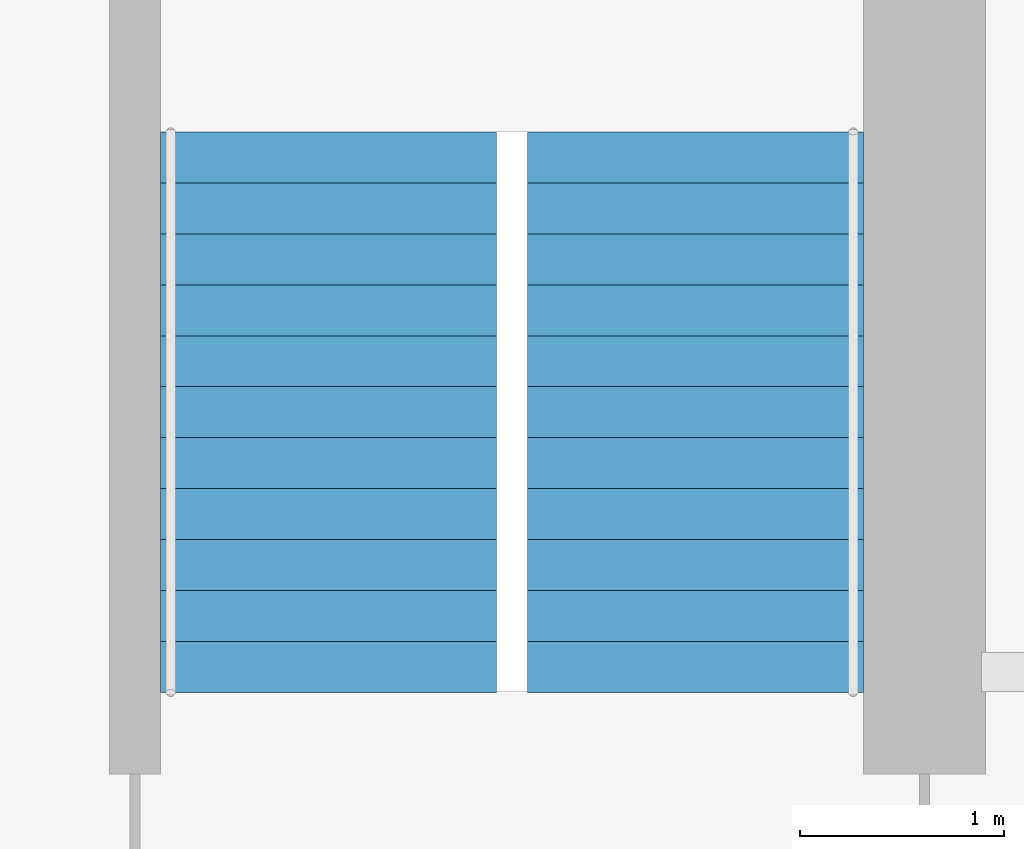
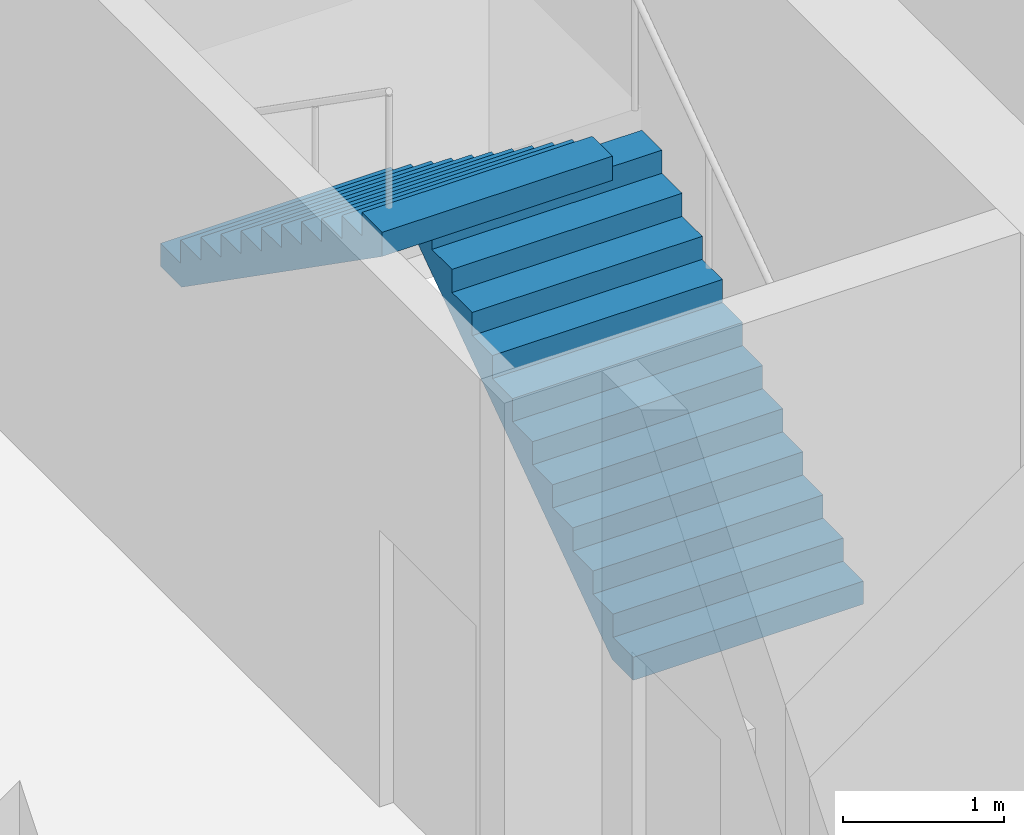
# One storey, part 9 of 10: 2 stair flights, 1 element without a shape of its own.
"""IFC4 building model written with IfcOpenShell, lengths in metres."""

from ifc_helpers import new_model, si_unit, direction, frame, origin, place, context, subcontext, project, spatial, polyline, outline, extrude, material, type_object, element, aggregate, save


model = new_model("IFC4")

# Units and contexts
model_context = context("Model", 3, precision=1e-05, world=origin(), true_north=direction((0.0, 1.0)))
body_context = subcontext(model_context, "Body", "Model", "MODEL_VIEW")
ifc_project = project(units=[si_unit("LENGTHUNIT", "METRE"), si_unit("AREAUNIT", "SQUARE_METRE"), si_unit("VOLUMEUNIT", "CUBIC_METRE"), si_unit("PLANEANGLEUNIT", "RADIAN"), si_unit("MASSUNIT", "GRAM", prefix="KILO")], contexts=[model_context])

# Site, building, storey
site_placement = place(None, origin())
site = spatial("IfcSite", under=ifc_project, at=site_placement, CompositionType="ELEMENT")
building_placement = place(site_placement, origin())
building = spatial("IfcBuilding", under=site, at=building_placement, Name="Ogive Exchange Tower", CompositionType="ELEMENT")
storey_placement = place(building_placement, frame((0.0, 0.0, 251.39990234375)))
storey = spatial("IfcBuildingStorey", under=building, at=storey_placement, Name="L54", CompositionType="ELEMENT", Elevation=251.39990234375)

# Stair, stair flights
ifc_material = material(Name="Concrete C40/50", Category="concrete")
stair_type = type_object("IfcStairType", Name="Exit stair 1650 wide", PredefinedType="HALF_TURN_STAIR", material=ifc_material)
stair_placement = place(storey_placement, origin())
stair = element("IfcStair", 1, at=stair_placement, inside=storey, type_object=stair_type, Name="L54 exit stair ST4", PredefinedType="HALF_TURN_STAIR")
stair_flight_type = type_object("IfcStairFlightType", Name="Stair flight 1650 wide", PredefinedType="STRAIGHT", material=ifc_material)
stair_flight_1_placement = place(storey_placement, frame((20.175048828125, 20.800048828125, 0.0), z_axis=(0.0, 0.0, 1.0), x_axis=(0.0, 1.0, 0.0)))
stair_flight_1 = element("IfcStairFlight", 2, at=stair_flight_1_placement, type_object=stair_flight_type, Name="ST4 flight 1", NumberOfRisers=12, NumberOfTreads=11, PredefinedType="STRAIGHT", RiserHeight=0.175, TreadLength=0.25, context=body_context, shape_type="SweptSolid", body=[
    extrude(outline(polyline([(0.0, 0.0), (0.0, 0.175048828125), (0.25, 0.175048828125), (0.25, 0.35009765625), (0.5, 0.35009765625), (0.5, 0.52490234375), (0.75, 0.52490234375), (0.75, 0.699951171875), (1.0, 0.699951171875), (1.0, 0.875), (1.25, 0.875), (1.25, 1.050048828125), (1.5, 1.050048828125), (1.5, 1.22509765625), (1.75, 1.22509765625), (1.75, 1.39990234375), (2.0, 1.39990234375), (2.0, 1.574951171875), (2.25, 1.574951171875), (2.25, 1.75), (2.5, 1.75), (2.5, 1.925048828125), (2.75, 1.925048828125), (2.75, 2.10009765625), (2.75, 1.741943359375), (0.261474609375, 0.0), (0.0, 0.0)])), frame((0.0, 0.824951171875, 0.0), z_axis=(0.0, -1.0, 0.0), x_axis=(1.0, 0.0, 0.0)), (0.0, 0.0, 1.0), 1.64990234375),
])
stair_flight_2_placement = place(storey_placement, frame((18.375, 23.550048828125, 2.10009765625), z_axis=(0.0, 0.0, 1.0), x_axis=(0.0, -1.0, 0.0)))
stair_flight_2 = element("IfcStairFlight", 3, at=stair_flight_2_placement, type_object=stair_flight_type, Name="ST4 flight 2", NumberOfRisers=12, NumberOfTreads=11, PredefinedType="STRAIGHT", RiserHeight=0.175, TreadLength=0.25, context=body_context, shape_type="SweptSolid", body=[
    extrude(outline(polyline([(0.0, 0.0), (0.0, 0.175048828125), (0.25, 0.175048828125), (0.25, 0.35009765625), (0.5, 0.35009765625), (0.5, 0.52490234375), (0.75, 0.52490234375), (0.75, 0.699951171875), (1.0, 0.699951171875), (1.0, 0.875), (1.25, 0.875), (1.25, 1.050048828125), (1.5, 1.050048828125), (1.5, 1.22509765625), (1.75, 1.22509765625), (1.75, 1.39990234375), (2.0, 1.39990234375), (2.0, 1.574951171875), (2.25, 1.574951171875), (2.25, 1.75), (2.5, 1.75), (2.5, 1.925048828125), (2.75, 1.925048828125), (2.75, 2.10009765625), (2.75, 1.741943359375), (0.261474609375, 0.0), (0.0, 0.0)])), frame((0.0, 0.824951171875, 0.0), z_axis=(0.0, -1.0, 0.0), x_axis=(1.0, 0.0, 0.0)), (0.0, 0.0, 1.0), 1.64990234375),
])
aggregate(stair, [stair_flight_1, stair_flight_2])

save(model, "model.ifc")
